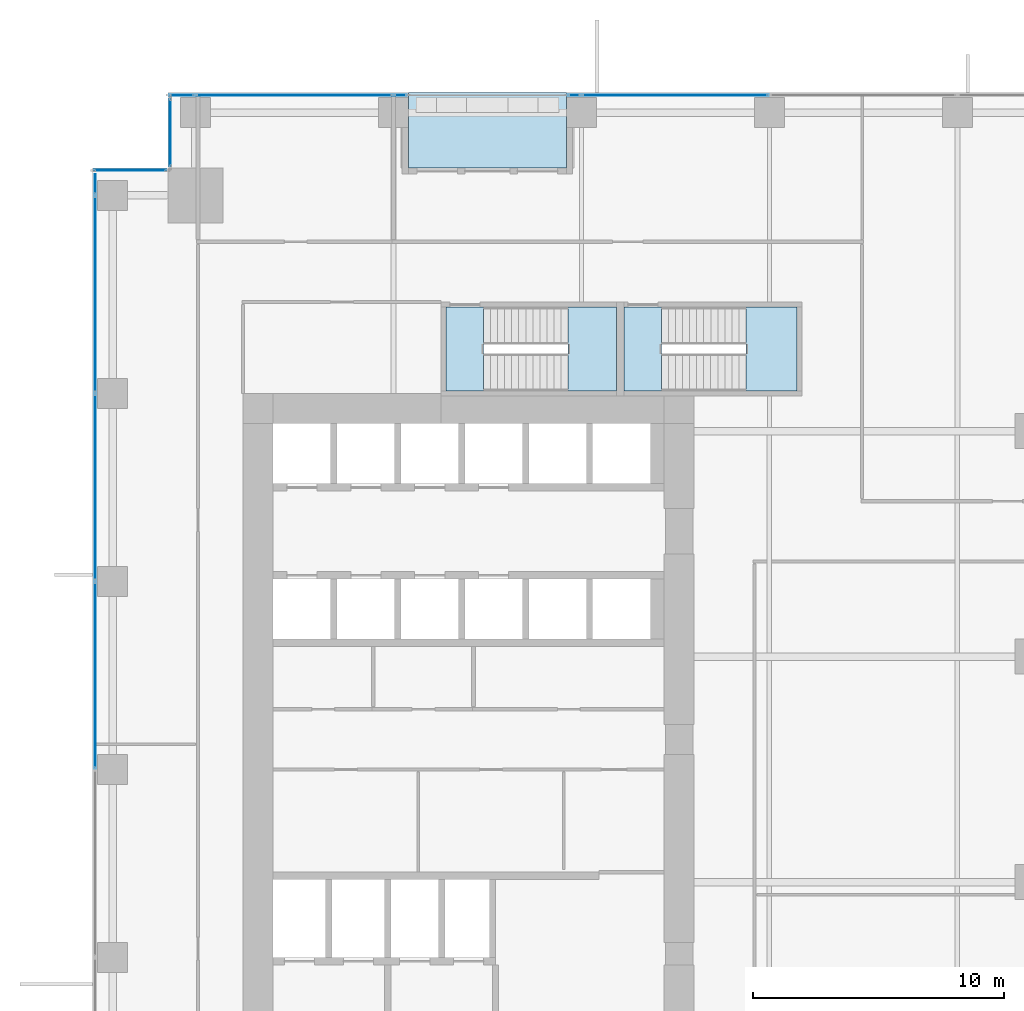
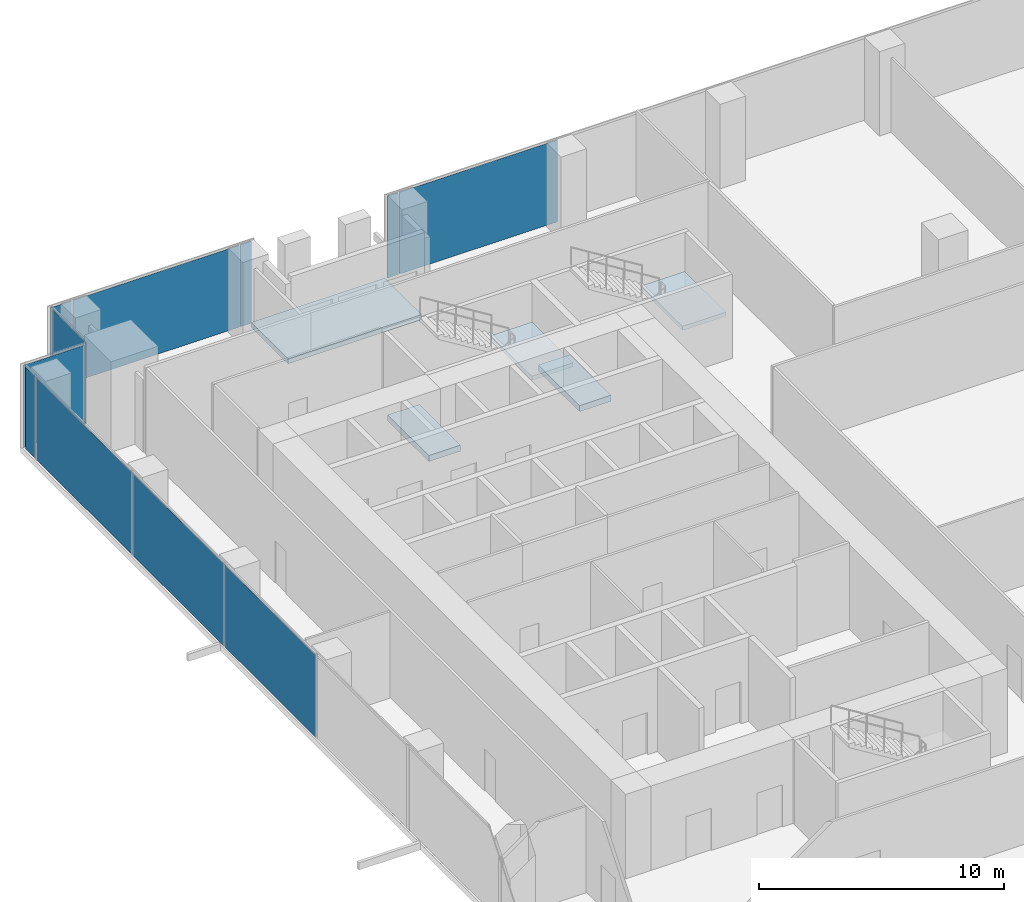
# One storey, part 25 of 33: 11 plates, 5 slabs, 7 elements without a shape of their own.
"""IFC4 building model written with IfcOpenShell, lengths in metres."""

import ifcopenshell
import ifcopenshell.guid

model = None  # the IFC model being written
_history = None  # IfcOwnerHistory: only IFC2X3 demands one
_inside = {}  # id of a spatial element -> (the spatial element, [elements in it])
_under = {}  # id of a project, library or spatial element -> (it, [spatial elements below it])
_declared = {}  # id of a project -> (the project, [libraries it declares])
_typed = {}  # id of a type object -> (the type object, [elements of that type])
_made_of = {}  # id of a material, layer set ... -> (it, [elements and type objects made of it])


def new_model(schema):
    """Start an empty IFC model of exactly this schema.

    Asked for "IFC4X3", IfcOpenShell would pick the latest addendum, in which some entities
    have other attributes; the version numbers below select the first issue.
    IFC2X3 requires an IfcOwnerHistory on every rooted entity: one is made here for all.
    """
    global model, _history
    if schema == "IFC4X3":
        model = ifcopenshell.file(schema_version=(4, 3, 0, 0))
    else:
        model = ifcopenshell.file(schema=schema)
    _inside.clear()
    _under.clear()
    _declared.clear()
    _typed.clear()
    _made_of.clear()
    _history = None
    if model.schema == "IFC2X3":
        org = make("IfcOrganization", Name="unknown")
        user = make(
            "IfcPersonAndOrganization",
            ThePerson=make("IfcPerson", FamilyName="unknown"),
            TheOrganization=org,
        )
        app = make(
            "IfcApplication",
            ApplicationDeveloper=org,
            Version="unknown",
            ApplicationFullName="unknown",
            ApplicationIdentifier="unknown",
        )
        _history = make(
            "IfcOwnerHistory",
            OwningUser=user,
            OwningApplication=app,
            ChangeAction="ADDED",
            CreationDate=0,
        )
    return model


def make(cls, **values):
    """One entity of the class cls with the attributes given. An attribute that is None is left unset."""
    return model.create_entity(
        cls, **{name: value for name, value in values.items() if value is not None}
    )


def rooted(cls, **values):
    """An entity with a GlobalId (a new one), such as an element, a storey or a relation."""
    return make(cls, GlobalId=ifcopenshell.guid.new(), OwnerHistory=_history, **values)


def si_unit(unit_type, name, prefix=None):
    """IfcSIUnit, for example si_unit("LENGTHUNIT", "METRE", prefix="MILLI")."""
    return make("IfcSIUnit", UnitType=unit_type, Prefix=prefix, Name=name)


def assignment(units):
    """IfcUnitAssignment: the units of a project."""
    return None if units is None else make("IfcUnitAssignment", Units=units)


def point(xyz):
    """IfcCartesianPoint."""
    return None if xyz is None else make("IfcCartesianPoint", Coordinates=xyz)


def direction(xyz):
    """IfcDirection."""
    return None if xyz is None else make("IfcDirection", DirectionRatios=xyz)


def frame(location, z_axis=None, x_axis=None):
    """IfcAxis2Placement3D, a coordinate frame: its origin and axes. An axis left out is left unset."""
    return make(
        "IfcAxis2Placement3D",
        Location=point(location),
        Axis=direction(z_axis),
        RefDirection=direction(x_axis),
    )


def frame_2d(location, x_axis=None):
    """IfcAxis2Placement2D, a coordinate frame in the plane: its origin and x axis."""
    return make(
        "IfcAxis2Placement2D", Location=point(location), RefDirection=direction(x_axis)
    )


def origin():
    """The frame at (0, 0, 0) with its axes left unset."""
    return frame((0.0, 0.0, 0.0))


def origin_2d():
    """The frame at (0, 0) in the plane with its x axis left unset."""
    return frame_2d((0.0, 0.0))


def place(relative_to, where):
    """IfcLocalPlacement: puts the frame where relative to a parent placement (None: the world)."""
    return make(
        "IfcLocalPlacement", PlacementRelTo=relative_to, RelativePlacement=where
    )


def context(
    kind, dimensions, precision=None, world=None, true_north=None, identifier=None
):
    """IfcGeometricRepresentationContext, for example the 3D "Model" context."""
    return make(
        "IfcGeometricRepresentationContext",
        ContextIdentifier=identifier,
        ContextType=kind,
        CoordinateSpaceDimension=dimensions,
        Precision=precision,
        WorldCoordinateSystem=world,
        TrueNorth=true_north,
    )


def subcontext(parent, identifier, kind, view, scale=None):
    """IfcGeometricRepresentationSubContext, for example "Body" below "Model"."""
    return make(
        "IfcGeometricRepresentationSubContext",
        ContextIdentifier=identifier,
        ContextType=kind,
        ParentContext=parent,
        TargetScale=scale,
        TargetView=view,
    )


def project(units=None, contexts=None):
    """IfcProject with its units and contexts."""
    return rooted(
        "IfcProject",
        Name="project",
        RepresentationContexts=contexts,
        UnitsInContext=assignment(units),
    )


def spatial(cls, under=None, at=None, **own):
    """A site, building, storey or space (cls), placed at a placement, below another one or the project."""
    s = rooted(cls, ObjectPlacement=at, **own)
    if under is not None:
        _under.setdefault(under.id(), (under, []))[1].append(s)
    return s


def polyline(points):
    """IfcPolyline through the points."""
    return make("IfcPolyline", Points=[point(p) for p in points])


def profile(cls, at=None, kind="AREA", **sizes):
    """A parametric profile (cls). Its sizes go by their IFC names, for example OverallWidth=200.0."""
    return make(cls, ProfileType=kind, Position=at, **sizes)


def rectangle(**sizes):
    """IfcRectangleProfileDef."""
    return profile("IfcRectangleProfileDef", **sizes)


def outline(outer, holes=None, kind="AREA"):
    """IfcArbitraryClosedProfileDef: a profile drawn as a closed curve; with holes, ...WithVoids."""
    if holes is None:
        return make("IfcArbitraryClosedProfileDef", ProfileType=kind, OuterCurve=outer)
    return make(
        "IfcArbitraryProfileDefWithVoids",
        ProfileType=kind,
        OuterCurve=outer,
        InnerCurves=holes,
    )


def extrude(swept, where, along, depth):
    """IfcExtrudedAreaSolid: the profile swept, set in the frame where, extruded along a direction by depth."""
    return make(
        "IfcExtrudedAreaSolid",
        SweptArea=swept,
        Position=where,
        ExtrudedDirection=direction(along),
        Depth=depth,
    )


def shape(context_of_items, identifier, shape_type, items):
    """IfcShapeRepresentation: the items that make up one representation, for example the "Body"."""
    return make(
        "IfcShapeRepresentation",
        ContextOfItems=context_of_items,
        RepresentationIdentifier=identifier,
        RepresentationType=shape_type,
        Items=items,
    )


def source(mapping_origin, context_of_items, identifier, shape_type, items):
    """IfcRepresentationMap: a shape defined once, which mapped items show again and again."""
    return make(
        "IfcRepresentationMap",
        MappingOrigin=mapping_origin,
        MappedRepresentation=shape(context_of_items, identifier, shape_type, items),
    )


def transform(
    local_origin,
    x_axis=None,
    y_axis=None,
    z_axis=None,
    scale=None,
    scale2=None,
    scale3=None,
    uniform=True,
):
    """IfcCartesianTransformationOperator3D, or its non-uniform kind. x_axis, y_axis, z_axis: its Axis1, 2, 3."""
    if uniform:
        return make(
            "IfcCartesianTransformationOperator3D",
            Axis1=direction(x_axis),
            Axis2=direction(y_axis),
            LocalOrigin=point(local_origin),
            Scale=scale,
            Axis3=direction(z_axis),
        )
    return make(
        "IfcCartesianTransformationOperator3DnonUniform",
        Axis1=direction(x_axis),
        Axis2=direction(y_axis),
        LocalOrigin=point(local_origin),
        Scale=scale,
        Axis3=direction(z_axis),
        Scale2=scale2,
        Scale3=scale3,
    )


def mapped(mapping_source, mapping_target):
    """IfcMappedItem: shows the shape of a source again, moved by a transform."""
    return make(
        "IfcMappedItem", MappingSource=mapping_source, MappingTarget=mapping_target
    )


def material(Name=None, Category=None):
    """IfcMaterial."""
    return make("IfcMaterial", Name=Name, Category=Category)


def layer(
    of_material, thickness, ventilated=None, Name=None, Category=None, Priority=None
):
    """IfcMaterialLayer: one layer of a wall or slab, of a material (None: an air gap)."""
    return make(
        "IfcMaterialLayer",
        Material=of_material,
        LayerThickness=thickness,
        IsVentilated=ventilated,
        Name=Name,
        Category=Category,
        Priority=Priority,
    )


def layer_set(layers, Name=None):
    """IfcMaterialLayerSet."""
    return make("IfcMaterialLayerSet", MaterialLayers=layers, LayerSetName=Name)


def made_of(thing, what):
    """Note that an element or type object is made of a material, layer set ...; save() writes the relation."""
    if what is not None:
        _made_of.setdefault(what.id(), (what, []))[1].append(thing)
    return thing


def type_object(cls, material=None, **own):
    """A type object (cls), such as IfcWallType, which elements share."""
    return made_of(rooted(cls, **own), material)


def element(
    cls,
    number,
    at=None,
    inside=None,
    cuts=None,
    type_object=None,
    material=None,
    context=None,
    identifier="Body",
    shape_type=None,
    held_by="IfcProductDefinitionShape",
    body=None,
    shapes=None,
    **own,
):
    """One element of the class cls, such as IfcWall. Its Tag is "e" and its number.

    at: its placement. inside: the storey or other place that contains it. cuts: it is an
    opening in that element (IfcRelVoidsElement). A single representation is given by context,
    identifier, shape_type and body (its items); several are given by shapes. held_by: the class
    of the entity that holds the representations. save() writes the other relations.
    """
    e = rooted(cls, Tag="e%d" % number, ObjectPlacement=at, **own)
    if body is not None:
        shapes = [shape(context, identifier, shape_type, body)]
    if shapes is not None:
        e.Representation = make(held_by, Representations=shapes)
    if inside is not None:
        _inside.setdefault(inside.id(), (inside, []))[1].append(e)
    if cuts is not None:
        rooted(
            "IfcRelVoidsElement", RelatingBuildingElement=cuts, RelatedOpeningElement=e
        )
    if type_object is not None:
        _typed.setdefault(type_object.id(), (type_object, []))[1].append(e)
    return made_of(e, material)


def aggregate(whole, parts):
    """IfcRelAggregates: a whole, such as a stair, and the parts it consists of."""
    return rooted("IfcRelAggregates", RelatingObject=whole, RelatedObjects=parts)


def save(model, path):
    """Write the relations noted so far, then the file.

    IfcRelAggregates (storeys below a building ...), IfcRelContainedInSpatialStructure (elements
    in a storey), IfcRelDefinesByType, IfcRelAssociatesMaterial and IfcRelDeclares: one each for
    every whole, place, type object, material and project.
    """
    for whole, parts in _under.values():
        aggregate(whole, parts)
    for where, things in _inside.values():
        rooted(
            "IfcRelContainedInSpatialStructure",
            RelatedElements=things,
            RelatingStructure=where,
        )
    for kind, things in _typed.values():
        rooted("IfcRelDefinesByType", RelatedObjects=things, RelatingType=kind)
    for what, things in _made_of.values():
        rooted("IfcRelAssociatesMaterial", RelatedObjects=things, RelatingMaterial=what)
    for by, libraries in _declared.values():
        rooted("IfcRelDeclares", RelatingContext=by, RelatedDefinitions=libraries)
    model.write(path)


model = new_model("IFC4")

# Units and contexts
model_context = context("Model", 3, precision=1e-05, world=origin(), true_north=direction((0.0, 1.0)))
body_context = subcontext(model_context, "Body", "Model", "MODEL_VIEW")
ifc_project = project(units=[si_unit("LENGTHUNIT", "METRE"), si_unit("AREAUNIT", "SQUARE_METRE"), si_unit("VOLUMEUNIT", "CUBIC_METRE"), si_unit("PLANEANGLEUNIT", "RADIAN"), si_unit("MASSUNIT", "GRAM", prefix="KILO")], contexts=[model_context])

# Site, building, storey
site_placement = place(None, origin())
site = spatial("IfcSite", under=ifc_project, at=site_placement, CompositionType="ELEMENT")
building_placement = place(site_placement, origin())
building = spatial("IfcBuilding", under=site, at=building_placement, Name="Khomas Fold Tower", CompositionType="ELEMENT")
storey_placement = place(building_placement, frame((0.0, 0.0, 78.0)))
storey = spatial("IfcBuildingStorey", under=building, at=storey_placement, Name="L16", CompositionType="ELEMENT", Elevation=78.0)

# Curtain wall, plate
ifc_material_1 = material(Name="Aluminium framed double glazing", Category="aluminium")
curtain_wall_type = type_object("IfcCurtainWallType", Name="SK-Unitised clear-glass wall, growing floors CW1", PredefinedType="NOTDEFINED", material=ifc_material_1)
curtain_wall_1_placement = place(storey_placement, origin())
curtain_wall_1 = element("IfcCurtainWall", 1, at=curtain_wall_1_placement, inside=storey, type_object=curtain_wall_type, Name="CW1 run L16 09-0", PredefinedType="NOTDEFINED")
ifc_material_2 = material(Name="Clear double glazed unit")
ifc_layer_1 = layer(ifc_material_2, 0.031982421875)
ifc_layer_set_1 = layer_set([ifc_layer_1], Name="Clear double glazed unit")
plate_type = type_object("IfcPlateType", Name="SK-Unitised clear-glass wall, growing floors glass panel CW1-P", PredefinedType="CURTAIN_PANEL", material=ifc_layer_set_1)
shared_shape_1 = source(origin(), body_context, "Body", "SweptSolid", [
    extrude(rectangle(XDim=0.81005859375, YDim=0.031982421875, at=origin_2d()), origin(), (0.0, 0.0, 1.0), 4.080078125),
])
plate_1_placement = place(storey_placement, frame((0.10009765625, 50.3349609375, 0.0), z_axis=(0.0, 0.0, 1.0), x_axis=(0.0, -1.0, 0.0)))
plate_1 = element("IfcPlate", 2, at=plate_1_placement, type_object=plate_type, Name="CW1 glass panel 1", PredefinedType="CURTAIN_PANEL", context=body_context, shape_type="MappedRepresentation", body=[
    mapped(shared_shape_1, transform((0.0, 0.0, 0.0))),
])

curtain_wall_2_placement = place(storey_placement, origin())
curtain_wall_2 = element("IfcCurtainWall", 3, at=curtain_wall_2_placement, inside=storey, type_object=curtain_wall_type, Name="CW1 run L16 06-1", PredefinedType="NOTDEFINED")
shared_shape_2 = source(origin(), body_context, "Body", "SweptSolid", [
    extrude(rectangle(XDim=7.840087890625, YDim=0.031982421875, at=origin_2d()), origin(), (0.0, 0.0, 1.0), 4.080078125),
])
plate_2_placement = place(storey_placement, frame((8.050048828125, 53.89990234375, 0.0), z_axis=(0.0, 0.0, 1.0), x_axis=(-1.0, 0.0, 0.0)))
plate_2 = element("IfcPlate", 4, at=plate_2_placement, type_object=plate_type, Name="CW1 glass panel 2", PredefinedType="CURTAIN_PANEL", context=body_context, shape_type="MappedRepresentation", body=[
    mapped(shared_shape_2, transform((0.0, 0.0, 0.0))),
])

# Plate
plate_3_placement = place(storey_placement, frame((0.10009765625, 45.949951171875, 0.0), z_axis=(0.0, 0.0, 1.0), x_axis=(0.0, -1.0, 0.0)))
plate_3 = element("IfcPlate", 5, at=plate_3_placement, type_object=plate_type, Name="CW1 glass panel 2", PredefinedType="CURTAIN_PANEL", context=body_context, shape_type="MappedRepresentation", body=[
    mapped(shared_shape_2, transform((0.0, 0.0, 0.0))),
])

# Curtain wall, plate
curtain_wall_3_placement = place(storey_placement, origin())
curtain_wall_3 = element("IfcCurtainWall", 6, at=curtain_wall_3_placement, inside=storey, type_object=curtain_wall_type, Name="CW1 run L16 06-0", PredefinedType="NOTDEFINED")
shared_shape_3 = source(origin(), body_context, "Body", "SweptSolid", [
    extrude(rectangle(XDim=7.43994140625, YDim=0.031982421875, at=origin_2d()), origin(), (0.0, 0.0, 1.0), 4.080078125),
])
plate_4_placement = place(storey_placement, frame((23.25, 53.89990234375, 0.0), z_axis=(0.0, 0.0, 1.0), x_axis=(-1.0, 0.0, 0.0)))
plate_4 = element("IfcPlate", 7, at=plate_4_placement, type_object=plate_type, Name="CW1 glass panel 5", PredefinedType="CURTAIN_PANEL", context=body_context, shape_type="MappedRepresentation", body=[
    mapped(shared_shape_3, transform((0.0, 0.0, 0.0))),
])

# Plate
plate_5_placement = place(storey_placement, frame((0.10009765625, 38.25, 0.0), z_axis=(0.0, 0.0, 1.0), x_axis=(0.0, -1.0, 0.0)))
plate_5 = element("IfcPlate", 8, at=plate_5_placement, type_object=plate_type, Name="CW1 glass panel 3", PredefinedType="CURTAIN_PANEL", context=body_context, shape_type="MappedRepresentation", body=[
    mapped(shared_shape_3, transform((0.0, 0.0, 0.0))),
])

plate_6_placement = place(storey_placement, frame((0.10009765625, 30.75, 0.0), z_axis=(0.0, 0.0, 1.0), x_axis=(0.0, -1.0, 0.0)))
plate_6 = element("IfcPlate", 9, at=plate_6_placement, type_object=plate_type, Name="CW1 glass panel 4", PredefinedType="CURTAIN_PANEL", context=body_context, shape_type="MappedRepresentation", body=[
    mapped(shared_shape_3, transform((0.0, 0.0, 0.0))),
])

aggregate(curtain_wall_1, [plate_1, plate_3, plate_5, plate_6])

shared_shape_4 = source(origin(), body_context, "Body", "SweptSolid", [
    extrude(rectangle(XDim=1.010009765625, YDim=0.031982421875, at=origin_2d()), origin(), (0.0, 0.0, 1.0), 4.080078125),
])
plate_7_placement = place(storey_placement, frame((3.56494140625, 53.89990234375, 0.0), z_axis=(0.0, 0.0, 1.0), x_axis=(-1.0, 0.0, 0.0)))
plate_7 = element("IfcPlate", 10, at=plate_7_placement, type_object=plate_type, Name="CW1 glass panel 3", PredefinedType="CURTAIN_PANEL", context=body_context, shape_type="MappedRepresentation", body=[
    mapped(shared_shape_4, transform((0.0, 0.0, 0.0))),
])

# Curtain wall, plate
curtain_wall_4_placement = place(storey_placement, origin())
curtain_wall_4 = element("IfcCurtainWall", 11, at=curtain_wall_4_placement, inside=storey, type_object=curtain_wall_type, Name="CW1 corner return L16 07", PredefinedType="NOTDEFINED")
shared_shape_5 = source(origin(), body_context, "Body", "SweptSolid", [
    extrude(rectangle(XDim=2.679931640625, YDim=0.031982421875, at=origin_2d()), origin(), (0.0, 0.0, 1.0), 4.080078125),
])
plate_8_placement = place(storey_placement, frame((3.10009765625, 52.39990234375, 0.0), z_axis=(0.0, 0.0, 1.0), x_axis=(0.0, -1.0, 0.0)))
plate_8 = element("IfcPlate", 12, at=plate_8_placement, type_object=plate_type, Name="CW1 glass panel 1", PredefinedType="CURTAIN_PANEL", context=body_context, shape_type="MappedRepresentation", body=[
    mapped(shared_shape_5, transform((0.0, 0.0, 0.0))),
])
aggregate(curtain_wall_4, [plate_8])

curtain_wall_5_placement = place(storey_placement, origin())
curtain_wall_5 = element("IfcCurtainWall", 13, at=curtain_wall_5_placement, inside=storey, type_object=curtain_wall_type, Name="CW1 corner return L16 08", PredefinedType="NOTDEFINED")
shared_shape_6 = source(origin(), body_context, "Body", "SweptSolid", [
    extrude(rectangle(XDim=2.8798828125, YDim=0.031982421875, at=origin_2d()), origin(), (0.0, 0.0, 1.0), 4.080078125),
])
plate_9_placement = place(storey_placement, frame((1.5, 50.89990234375, 0.0), z_axis=(0.0, 0.0, 1.0), x_axis=(-1.0, 0.0, 0.0)))
plate_9 = element("IfcPlate", 14, at=plate_9_placement, type_object=plate_type, Name="CW1 glass panel 1", PredefinedType="CURTAIN_PANEL", context=body_context, shape_type="MappedRepresentation", body=[
    mapped(shared_shape_6, transform((0.0, 0.0, 0.0))),
])
aggregate(curtain_wall_5, [plate_9])

# Plate
shared_shape_7 = source(origin(), body_context, "Body", "SweptSolid", [
    extrude(rectangle(XDim=0.510009765625, YDim=0.031982421875, at=origin_2d()), origin(), (0.0, 0.0, 1.0), 4.080078125),
])
plate_10_placement = place(storey_placement, frame((19.215087890625, 53.89990234375, 0.0), z_axis=(0.0, 0.0, 1.0), x_axis=(-1.0, 0.0, 0.0)))
plate_10 = element("IfcPlate", 15, at=plate_10_placement, type_object=plate_type, Name="CW1 glass panel 6", PredefinedType="CURTAIN_PANEL", context=body_context, shape_type="MappedRepresentation", body=[
    mapped(shared_shape_7, transform((0.0, 0.0, 0.0))),
])

aggregate(curtain_wall_3, [plate_4, plate_10])

plate_11_placement = place(storey_placement, frame((12.284912109375, 53.89990234375, 0.0), z_axis=(0.0, 0.0, 1.0), x_axis=(-1.0, 0.0, 0.0)))
plate_11 = element("IfcPlate", 16, at=plate_11_placement, type_object=plate_type, Name="CW1 glass panel 1", PredefinedType="CURTAIN_PANEL", context=body_context, shape_type="MappedRepresentation", body=[
    mapped(shared_shape_7, transform((0.0, 0.0, 0.0))),
])

aggregate(curtain_wall_2, [plate_11, plate_2, plate_7])

# Slab
ifc_material_3 = material(Name="Concrete C40/50", Category="concrete")
ifc_layer_2 = layer(ifc_material_3, 0.2548828125)
ifc_layer_set_2 = layer_set([ifc_layer_2], Name="Concrete C40/50")
slab_type_1 = type_object("IfcSlabType", Name="BL-Balcony deck 255", PredefinedType="FLOOR", material=ifc_layer_set_2)
shared_shape_8 = source(origin(), body_context, "Body", "SweptSolid", [
    extrude(outline(polyline([(12.60009765625, 51.0), (18.89990234375, 51.0), (18.89990234375, 54.0), (12.60009765625, 54.0), (12.60009765625, 51.0)])), origin(), (0.0, 0.0, 1.0), 0.255126953125),
])
slab_1_placement = place(storey_placement, frame((0.0, 0.0, -0.300048828125)))
element("IfcSlab", 17, at=slab_1_placement, inside=storey, type_object=slab_type_1, Name="Balcony deck BAL-L16-N1", PredefinedType="FLOOR", context=body_context, shape_type="MappedRepresentation", body=[
    mapped(shared_shape_8, transform((0.0, 0.0, 0.0))),
])

# Stair, slab
ifc_material_4 = material(Name="Concrete C40/50", Category="concrete")
stair_type_1 = type_object("IfcStairType", Name="Stair ST1", PredefinedType="HALF_TURN_STAIR", material=ifc_material_4)
stair_1_placement = place(storey_placement, origin())
stair_1 = element("IfcStair", 18, at=stair_1_placement, inside=storey, type_object=stair_type_1, Name="L16 ST1", PredefinedType="HALF_TURN_STAIR")
ifc_material_5 = material(Name="Concrete C40/50", Category="concrete")
ifc_layer_3 = layer(ifc_material_5, 0.199951171875)
ifc_layer_set_3 = layer_set([ifc_layer_3], Name="Concrete C40/50")
slab_type_2 = type_object("IfcSlabType", Name="Stair landing 200", PredefinedType="LANDING", material=ifc_layer_set_3)
shared_shape_9 = source(origin(), body_context, "Body", "SweptSolid", [
    extrude(outline(polyline([(18.9599609375, 42.10009765625), (20.89990234375, 42.10009765625), (20.89990234375, 45.449951171875), (18.9599609375, 45.449951171875), (18.9599609375, 42.10009765625)])), origin(), (0.0, 0.0, 1.0), 0.199951171875),
])
slab_2_placement = place(storey_placement, frame((0.0, 0.0, 2.050048828125)))
slab_2 = element("IfcSlab", 19, at=slab_2_placement, type_object=slab_type_2, Name="ST1 landing 1", PredefinedType="LANDING", context=body_context, shape_type="MappedRepresentation", body=[
    mapped(shared_shape_9, transform((0.0, 0.0, 0.0))),
])
aggregate(stair_1, [slab_2])

# Slab
ifc_material_6 = material(Name="Concrete C40/50", Category="concrete")
ifc_layer_4 = layer(ifc_material_6, 0.300048828125)
ifc_layer_set_4 = layer_set([ifc_layer_4], Name="Concrete C40/50")
slab_type_3 = type_object("IfcSlabType", Name="Stair floor landing 300", PredefinedType="LANDING", material=ifc_layer_set_4)
shared_shape_10 = source(origin(), body_context, "Body", "SweptSolid", [
    extrude(outline(polyline([(15.60009765625, 42.10009765625), (14.10009765625, 42.10009765625), (14.10009765625, 45.449951171875), (15.60009765625, 45.449951171875), (15.60009765625, 42.10009765625)])), origin(), (0.0, 0.0, 1.0), 0.300048828125),
])
slab_3_placement = place(storey_placement, frame((0.0, 0.0, -0.300048828125)))
element("IfcSlab", 20, at=slab_3_placement, inside=storey, type_object=slab_type_3, Name="ST1 floor landing", PredefinedType="LANDING", context=body_context, shape_type="MappedRepresentation", body=[
    mapped(shared_shape_10, transform((0.0, 0.0, 0.0))),
])

# Stair, slab
ifc_material_7 = material(Name="Concrete C40/50", Category="concrete")
stair_type_2 = type_object("IfcStairType", Name="Stair ST3", PredefinedType="HALF_TURN_STAIR", material=ifc_material_7)
stair_2_placement = place(storey_placement, origin())
stair_2 = element("IfcStair", 21, at=stair_2_placement, inside=storey, type_object=stair_type_2, Name="L16 ST3", PredefinedType="HALF_TURN_STAIR")
shared_shape_11 = source(origin(), body_context, "Body", "SweptSolid", [
    extrude(outline(polyline([(26.06005859375, 42.10009765625), (28.10009765625, 42.10009765625), (28.10009765625, 45.449951171875), (26.06005859375, 45.449951171875), (26.06005859375, 42.10009765625)])), origin(), (0.0, 0.0, 1.0), 0.199951171875),
])
slab_4_placement = place(storey_placement, frame((0.0, 0.0, 2.050048828125)))
slab_4 = element("IfcSlab", 22, at=slab_4_placement, type_object=slab_type_2, Name="ST3 landing 1", PredefinedType="LANDING", context=body_context, shape_type="MappedRepresentation", body=[
    mapped(shared_shape_11, transform((0.0, 0.0, 0.0))),
])
aggregate(stair_2, [slab_4])

# Slab
shared_shape_12 = source(origin(), body_context, "Body", "SweptSolid", [
    extrude(outline(polyline([(22.699951171875, 42.10009765625), (21.199951171875, 42.10009765625), (21.199951171875, 45.449951171875), (22.699951171875, 45.449951171875), (22.699951171875, 42.10009765625)])), origin(), (0.0, 0.0, 1.0), 0.300048828125),
])
slab_5_placement = place(storey_placement, frame((0.0, 0.0, -0.300048828125)))
element("IfcSlab", 23, at=slab_5_placement, inside=storey, type_object=slab_type_3, Name="ST3 floor landing", PredefinedType="LANDING", context=body_context, shape_type="MappedRepresentation", body=[
    mapped(shared_shape_12, transform((0.0, 0.0, 0.0))),
])

save(model, "model.ifc")
